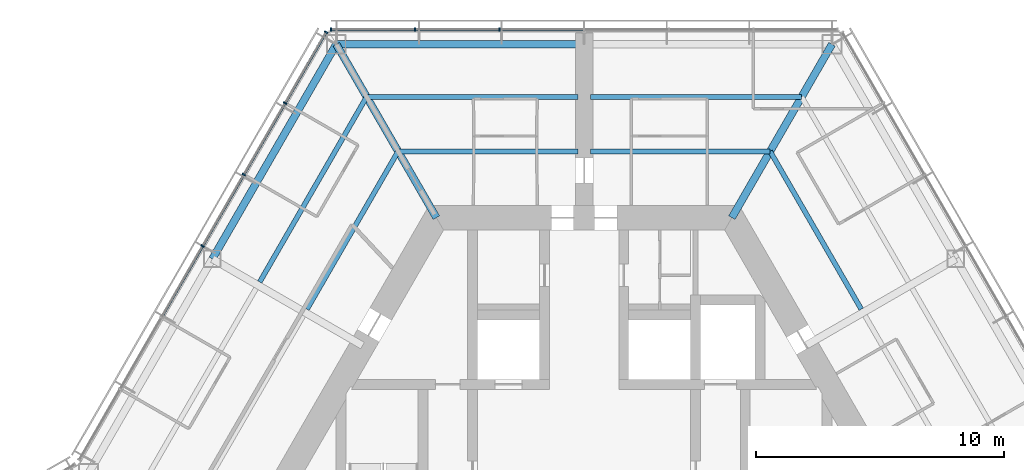
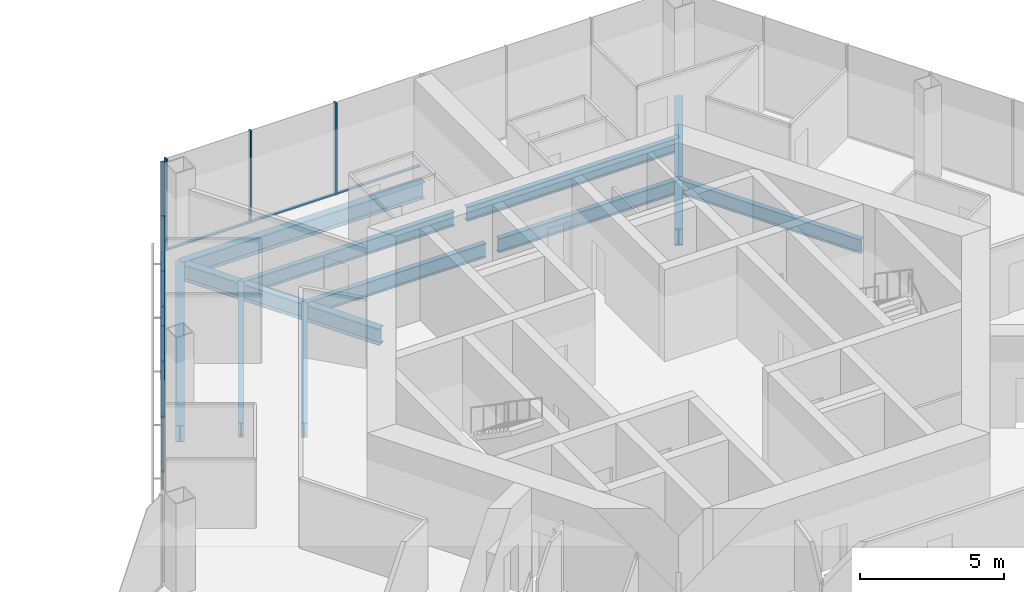
# One storey, part 7 of 18: 14 members, 11 beams, 2 elements without a shape of their own.
"""IFC4 building model written with IfcOpenShell, lengths in metres."""

from ifc_helpers import new_model, si_unit, direction, frame, origin, origin_2d, place, context, subcontext, project, spatial, rectangle, i_section, extrude, material, material_profile, profile_set, type_object, element, aggregate, save


model = new_model("IFC4")

# Units and contexts
model_context = context("Model", 3, precision=1e-05, world=origin(), true_north=direction((0.0, 1.0)))
body_context = subcontext(model_context, "Body", "Model", "MODEL_VIEW")
ifc_project = project(units=[si_unit("LENGTHUNIT", "METRE"), si_unit("AREAUNIT", "SQUARE_METRE"), si_unit("VOLUMEUNIT", "CUBIC_METRE"), si_unit("PLANEANGLEUNIT", "RADIAN"), si_unit("MASSUNIT", "GRAM", prefix="KILO")], contexts=[model_context])

# Site, building, storey
site_placement = place(None, origin())
site = spatial("IfcSite", under=ifc_project, at=site_placement, CompositionType="ELEMENT")
building_placement = place(site_placement, origin())
building = spatial("IfcBuilding", under=site, at=building_placement, Name="Kasaneha Research Tower", CompositionType="ELEMENT")
storey_placement = place(building_placement, frame((0.0, 0.0, 148.699951171875)))
storey = spatial("IfcBuildingStorey", under=building, at=storey_placement, Name="L37", CompositionType="ELEMENT", Elevation=148.699951171875)

# Beams
ifc_material_1 = material(Name="Steel SN490B", Category="steel")
ifc_material_profile_1 = material_profile(ifc_material_1, i_section(OverallWidth=0.199951171875, OverallDepth=0.60009765625, WebThickness=0.010986328125, FlangeThickness=0.01708984375, FilletRadius=0.012939453125, at=origin_2d()), Name="H-600x200x11x17")
ifc_profile_set_1 = profile_set([ifc_material_profile_1], Name="Steel SN490B")
beam_type_1 = type_object("IfcBeamType", Name="B1-3 secondary beam H-600x200x11x17", PredefinedType="JOIST", material=ifc_profile_set_1)
beam_1_placement = place(storey_placement, frame((7.505615234375, 13.0, -0.449951171875), z_axis=(0.499994443168, -0.866028611999, 0.0), x_axis=(0.866028611999, 0.499994443168, 0.0)))
element("IfcBeam", 1, at=beam_1_placement, inside=storey, type_object=beam_type_1, Name="Secondary beam RS030R1 L37", PredefinedType="JOIST", context=body_context, shape_type="SweptSolid", body=[
    extrude(i_section(OverallWidth=0.199951171875, OverallDepth=0.60009765625, WebThickness=0.010986328125, FlangeThickness=0.01708984375, FilletRadius=0.012939453125, at=origin_2d()), origin(), (0.0, 0.0, 1.0), 7.35546875),
])
beam_2_placement = place(storey_placement, frame((7.505615234375, 13.0, -0.449951171875), z_axis=(-1.0, 0.0, 0.0), x_axis=(0.0, -1.0, 0.0)))
element("IfcBeam", 2, at=beam_2_placement, inside=storey, type_object=beam_type_1, Name="Secondary beam RS090L1 L37", PredefinedType="JOIST", context=body_context, shape_type="SweptSolid", body=[
    extrude(i_section(OverallWidth=0.199951171875, OverallDepth=0.60009765625, WebThickness=0.010986328125, FlangeThickness=0.01708984375, FilletRadius=0.012939453125, at=origin_2d()), origin(), (0.0, 0.0, 1.0), 7.255615234375),
])
beam_3_placement = place(storey_placement, frame((8.775634765625, 15.199951171875, -0.449951171875), z_axis=(-1.0, 0.0, 0.0), x_axis=(0.0, -1.0, 0.0)))
element("IfcBeam", 3, at=beam_3_placement, inside=storey, type_object=beam_type_1, Name="Secondary beam RS090L2 L37", PredefinedType="JOIST", context=body_context, shape_type="SweptSolid", body=[
    extrude(i_section(OverallWidth=0.199951171875, OverallDepth=0.60009765625, WebThickness=0.010986328125, FlangeThickness=0.01708984375, FilletRadius=0.012939453125, at=origin_2d()), origin(), (0.0, 0.0, 1.0), 8.525634765625),
])
beam_4_placement = place(storey_placement, frame((-7.505615234375, 13.0, -0.449951171875), z_axis=(1.0, 0.0, 0.0), x_axis=(0.0, 1.0, 0.0)))
element("IfcBeam", 4, at=beam_4_placement, inside=storey, type_object=beam_type_1, Name="Secondary beam RS090R1 L37", PredefinedType="JOIST", context=body_context, shape_type="SweptSolid", body=[
    extrude(i_section(OverallWidth=0.199951171875, OverallDepth=0.60009765625, WebThickness=0.010986328125, FlangeThickness=0.01708984375, FilletRadius=0.012939453125, at=origin_2d()), origin(), (0.0, 0.0, 1.0), 7.255615234375),
])
beam_5_placement = place(storey_placement, frame((-8.775634765625, 15.199951171875, -0.449951171875), z_axis=(1.0, 0.0, 0.0), x_axis=(0.0, 1.0, 0.0)))
element("IfcBeam", 5, at=beam_5_placement, inside=storey, type_object=beam_type_1, Name="Secondary beam RS090R2 L37", PredefinedType="JOIST", context=body_context, shape_type="SweptSolid", body=[
    extrude(i_section(OverallWidth=0.199951171875, OverallDepth=0.60009765625, WebThickness=0.010986328125, FlangeThickness=0.01708984375, FilletRadius=0.012939453125, at=origin_2d()), origin(), (0.0, 0.0, 1.0), 8.525634765625),
])
beam_6_placement = place(storey_placement, frame((-7.505615234375, 13.0, -0.449951171875), z_axis=(-0.499994443168, -0.866028611999, 0.0), x_axis=(0.866028611999, -0.499994443168, 0.0)))
element("IfcBeam", 6, at=beam_6_placement, inside=storey, type_object=beam_type_1, Name="Secondary beam RS150L1 L37", PredefinedType="JOIST", context=body_context, shape_type="SweptSolid", body=[
    extrude(i_section(OverallWidth=0.199951171875, OverallDepth=0.60009765625, WebThickness=0.010986328125, FlangeThickness=0.01708984375, FilletRadius=0.012939453125, at=origin_2d()), origin(), (0.0, 0.0, 1.0), 7.35546875),
])
beam_7_placement = place(storey_placement, frame((-8.775634765625, 15.199951171875, -0.449951171875), z_axis=(-0.500017275495, -0.866015429543, 0.0), x_axis=(0.866015429543, -0.500017275495, 0.0)))
element("IfcBeam", 7, at=beam_7_placement, inside=storey, type_object=beam_type_1, Name="Secondary beam RS150L2 L37", PredefinedType="JOIST", context=body_context, shape_type="SweptSolid", body=[
    extrude(i_section(OverallWidth=0.199951171875, OverallDepth=0.60009765625, WebThickness=0.010986328125, FlangeThickness=0.01708984375, FilletRadius=0.012939453125, at=origin_2d()), origin(), (0.0, 0.0, 1.0), 8.625732421875),
])

# Curtain wall, members
ifc_material_2 = material(Name="Glass and aluminium", Category="aluminium")
curtain_wall_type = type_object("IfcCurtainWallType", Name="Mid-rise office curtain wall", PredefinedType="USERDEFINED", material=ifc_material_2)
curtain_wall_1_placement = place(storey_placement, origin())
curtain_wall_1 = element("IfcCurtainWall", 8, at=curtain_wall_1_placement, inside=storey, type_object=curtain_wall_type, Name="CW-O2 L37 run 07a", ObjectType="UNITISED CURTAIN WALL", PredefinedType="USERDEFINED")
ifc_material_3 = material(Name="Aluminium 6063-T6", Category="aluminium")
ifc_material_profile_2 = material_profile(ifc_material_3, rectangle(XDim=0.06005859375, YDim=0.14990234375, at=origin_2d()), Name="CW-O2 mullion 60x150")
ifc_profile_set_2 = profile_set([ifc_material_profile_2], Name="Aluminium 6063-T6")
member_type_1 = type_object("IfcMemberType", Name="CW-O2 mullion", PredefinedType="MULLION", material=ifc_profile_set_2)
member_1_placement = place(storey_placement, frame((-3.41552734375, 17.92041015625, 0.0), z_axis=(0.0, 0.0, 1.0), x_axis=(-1.0, 0.0, 0.0)))
member_1 = element("IfcMember", 9, at=member_1_placement, type_object=member_type_1, Name="CW-O2 mullion 5", PredefinedType="MULLION", context=body_context, shape_type="SweptSolid", body=[
    extrude(rectangle(XDim=0.06005859375, YDim=0.14990234375, at=origin_2d()), origin(), (0.0, 0.0, 1.0), 3.900146484375),
])
member_2_placement = place(storey_placement, frame((-6.8310546875, 17.92041015625, 0.0), z_axis=(0.0, 0.0, 1.0), x_axis=(-1.0, 0.0, 0.0)))
member_2 = element("IfcMember", 10, at=member_2_placement, type_object=member_type_1, Name="CW-O2 mullion 6", PredefinedType="MULLION", context=body_context, shape_type="SweptSolid", body=[
    extrude(rectangle(XDim=0.06005859375, YDim=0.14990234375, at=origin_2d()), origin(), (0.0, 0.0, 1.0), 3.900146484375),
])
member_3_placement = place(storey_placement, frame((-10.21630859375, 17.92041015625, 0.0), z_axis=(0.0, 0.0, 1.0), x_axis=(-1.0, 0.0, 0.0)))
member_3 = element("IfcMember", 11, at=member_3_placement, type_object=member_type_1, Name="CW-O2 mullion 7", PredefinedType="MULLION", context=body_context, shape_type="SweptSolid", body=[
    extrude(rectangle(XDim=0.06005859375, YDim=0.14990234375, at=origin_2d()), origin(), (0.0, 0.0, 1.0), 3.900146484375),
])

curtain_wall_2_placement = place(storey_placement, origin())
curtain_wall_2 = element("IfcCurtainWall", 12, at=curtain_wall_2_placement, inside=storey, type_object=curtain_wall_type, Name="CW-O2 L37 run 08a", ObjectType="UNITISED CURTAIN WALL", PredefinedType="USERDEFINED")
member_4_placement = place(storey_placement, frame((-10.411376953125, 17.807861328125, 0.0), z_axis=(0.0, 0.0, 1.0), x_axis=(-0.499999979232, -0.866025415775, 0.0)))
member_4 = element("IfcMember", 13, at=member_4_placement, type_object=member_type_1, Name="CW-O2 mullion 1", PredefinedType="MULLION", context=body_context, shape_type="SweptSolid", body=[
    extrude(rectangle(XDim=0.06005859375, YDim=0.14990234375, at=origin_2d()), origin(), (0.0, 0.0, 1.0), 3.900146484375),
])
member_5_placement = place(storey_placement, frame((-12.061767578125, 14.94921875, 0.0), z_axis=(0.0, 0.0, 1.0), x_axis=(-0.499999979232, -0.866025415775, 0.0)))
member_5 = element("IfcMember", 14, at=member_5_placement, type_object=member_type_1, Name="CW-O2 mullion 2", PredefinedType="MULLION", context=body_context, shape_type="SweptSolid", body=[
    extrude(rectangle(XDim=0.06005859375, YDim=0.14990234375, at=origin_2d()), origin(), (0.0, 0.0, 1.0), 3.900146484375),
])
member_6_placement = place(storey_placement, frame((-13.727294921875, 12.064453125, 0.0), z_axis=(0.0, 0.0, 1.0), x_axis=(-0.499999979232, -0.866025415775, 0.0)))
member_6 = element("IfcMember", 15, at=member_6_placement, type_object=member_type_1, Name="CW-O2 mullion 3", PredefinedType="MULLION", context=body_context, shape_type="SweptSolid", body=[
    extrude(rectangle(XDim=0.06005859375, YDim=0.14990234375, at=origin_2d()), origin(), (0.0, 0.0, 1.0), 3.900146484375),
])
member_7_placement = place(storey_placement, frame((-15.392822265625, 9.179931640625, 0.0), z_axis=(0.0, 0.0, 1.0), x_axis=(-0.499999979232, -0.866025415775, 0.0)))
member_7 = element("IfcMember", 16, at=member_7_placement, type_object=member_type_1, Name="CW-O2 mullion 4", PredefinedType="MULLION", context=body_context, shape_type="SweptSolid", body=[
    extrude(rectangle(XDim=0.06005859375, YDim=0.14990234375, at=origin_2d()), origin(), (0.0, 0.0, 1.0), 3.900146484375),
])

# Member
ifc_material_4 = material(Name="Aluminium 6063-T6", Category="aluminium")
ifc_material_profile_3 = material_profile(ifc_material_4, rectangle(XDim=0.110107421875, YDim=0.06005859375, at=origin_2d()), Name="CW-O2 transom 110x60")
ifc_profile_set_3 = profile_set([ifc_material_profile_3], Name="Aluminium 6063-T6")
member_type_2 = type_object("IfcMemberType", Name="CW-O2 transom", PredefinedType="USERDEFINED", material=ifc_profile_set_3)
member_8_placement = place(storey_placement, frame((-0.030029296875, 17.92041015625, 0.030029296875), z_axis=(-1.0, 0.0, 0.0), x_axis=(0.0, -1.0, 0.0)))
member_8 = element("IfcMember", 17, at=member_8_placement, type_object=member_type_2, Name="CW-O2 transom 4", ObjectType="TRANSOM", PredefinedType="USERDEFINED", context=body_context, shape_type="SweptSolid", body=[
    extrude(rectangle(XDim=0.110107421875, YDim=0.06005859375, at=origin_2d()), origin(), (0.0, 0.0, 1.0), 3.35546875),
])

member_9_placement = place(storey_placement, frame((-3.445556640625, 17.92041015625, 0.030029296875), z_axis=(-1.0, 0.0, 0.0), x_axis=(0.0, -1.0, 0.0)))
member_9 = element("IfcMember", 18, at=member_9_placement, type_object=member_type_2, Name="CW-O2 transom 5", ObjectType="TRANSOM", PredefinedType="USERDEFINED", context=body_context, shape_type="SweptSolid", body=[
    extrude(rectangle(XDim=0.110107421875, YDim=0.06005859375, at=origin_2d()), origin(), (0.0, 0.0, 1.0), 3.35546875),
])

member_10_placement = place(storey_placement, frame((-6.86083984375, 17.92041015625, 0.030029296875), z_axis=(-1.0, 0.0, 0.0), x_axis=(0.0, -1.0, 0.0)))
member_10 = element("IfcMember", 19, at=member_10_placement, type_object=member_type_2, Name="CW-O2 transom 6", ObjectType="TRANSOM", PredefinedType="USERDEFINED", context=body_context, shape_type="SweptSolid", body=[
    extrude(rectangle(XDim=0.110107421875, YDim=0.06005859375, at=origin_2d()), origin(), (0.0, 0.0, 1.0), 3.32568359375),
])

aggregate(curtain_wall_1, [member_1, member_2, member_3, member_8, member_9, member_10])

member_11_placement = place(storey_placement, frame((-10.426513671875, 17.781982421875, 0.030029296875), z_axis=(-0.499955025697, -0.866051368154, 0.0), x_axis=(0.866051368154, -0.499955025697, 0.0)))
member_11 = element("IfcMember", 20, at=member_11_placement, type_object=member_type_2, Name="CW-O2 transom 1", ObjectType="TRANSOM", PredefinedType="USERDEFINED", context=body_context, shape_type="SweptSolid", body=[
    extrude(rectangle(XDim=0.110107421875, YDim=0.06005859375, at=origin_2d()), origin(), (0.0, 0.0, 1.0), 3.240966796875),
])

member_12_placement = place(storey_placement, frame((-12.076904296875, 14.92333984375, 0.030029296875), z_axis=(-0.500000270186, -0.866025247793, 0.0), x_axis=(0.866025247793, -0.500000270186, 0.0)))
member_12 = element("IfcMember", 21, at=member_12_placement, type_object=member_type_2, Name="CW-O2 transom 2", ObjectType="TRANSOM", PredefinedType="USERDEFINED", context=body_context, shape_type="SweptSolid", body=[
    extrude(rectangle(XDim=0.110107421875, YDim=0.06005859375, at=origin_2d()), origin(), (0.0, 0.0, 1.0), 3.27099609375),
])

member_13_placement = place(storey_placement, frame((-13.742431640625, 12.03857421875, 0.030029296875), z_axis=(-0.500000270186, -0.866025247793, 0.0), x_axis=(0.866025247793, -0.500000270186, 0.0)))
member_13 = element("IfcMember", 22, at=member_13_placement, type_object=member_type_2, Name="CW-O2 transom 3", ObjectType="TRANSOM", PredefinedType="USERDEFINED", context=body_context, shape_type="SweptSolid", body=[
    extrude(rectangle(XDim=0.110107421875, YDim=0.06005859375, at=origin_2d()), origin(), (0.0, 0.0, 1.0), 3.27099609375),
])

member_14_placement = place(storey_placement, frame((-15.40771484375, 9.15380859375, 0.030029296875), z_axis=(-0.50003259116, -0.866006586452, 0.0), x_axis=(0.866006586452, -0.50003259116, 0.0)))
member_14 = element("IfcMember", 23, at=member_14_placement, type_object=member_type_2, Name="CW-O2 transom 4", ObjectType="TRANSOM", PredefinedType="USERDEFINED", context=body_context, shape_type="SweptSolid", body=[
    extrude(rectangle(XDim=0.110107421875, YDim=0.06005859375, at=origin_2d()), origin(), (0.0, 0.0, 1.0), 3.270751953125),
])

aggregate(curtain_wall_2, [member_4, member_5, member_6, member_7, member_11, member_12, member_13, member_14])

# Beams
ifc_material_5 = material(Name="Steel SN490B", Category="steel")
ifc_material_profile_4 = material_profile(ifc_material_5, i_section(OverallWidth=0.300048828125, OverallDepth=0.699951171875, WebThickness=0.012939453125, FlangeThickness=0.02392578125, FilletRadius=0.01806640625, at=origin_2d()), Name="H-700x300x13x24")
ifc_profile_set_4 = profile_set([ifc_material_profile_4], Name="Steel SN490B")
beam_type_2 = type_object("IfcBeamType", Name="G1-3 radial girder H-700x300x13x24", PredefinedType="BEAM", material=ifc_profile_set_4)
for number, where, z_axis, x_axis, name in (
    (24, (5.961181640625, 10.324951171875, -0.5), (0.49999105496, 0.866030568144, 0.0), (-0.866030568144, 0.49999105496, 0.0), "Radial girder RV060 L37"),
    (25, (-5.961181640625, 10.324951171875, -0.5), (-0.49999105496, 0.866030568144, 0.0), (-0.866030568144, -0.49999105496, 0.0), "Radial girder RV120 L37"),
):
    element("IfcBeam", number, at=place(storey_placement, frame(where, z_axis=z_axis, x_axis=x_axis)), inside=storey, type_object=beam_type_2, Name=name, PredefinedType="BEAM", context=body_context, shape_type="SweptSolid", body=[
        extrude(i_section(OverallWidth=0.300048828125, OverallDepth=0.699951171875, WebThickness=0.012939453125, FlangeThickness=0.02392578125, FilletRadius=0.01806640625, at=origin_2d()), origin(), (0.0, 0.0, 1.0), 8.077880859375),
    ])
ifc_material_6 = material(Name="Steel SN490B", Category="steel")
ifc_material_profile_5 = material_profile(ifc_material_6, i_section(OverallWidth=0.300048828125, OverallDepth=0.69189453125, WebThickness=0.012939453125, FlangeThickness=0.02001953125, FilletRadius=0.01806640625, at=origin_2d()), Name="H-692x300x13x20")
ifc_profile_set_5 = profile_set([ifc_material_profile_5], Name="Steel SN490B")
beam_type_3 = type_object("IfcBeamType", Name="G3-3 plate edge girder H-692x300x13x20", PredefinedType="BEAM", material=ifc_profile_set_5)
beam_8_placement = place(storey_placement, frame((-10.0, 17.320556640625, -0.495849609375), z_axis=(1.0, 0.0, 0.0), x_axis=(0.0, 1.0, 0.0)))
element("IfcBeam", 26, at=beam_8_placement, inside=storey, type_object=beam_type_3, Name="Plate edge girder PEAN L37", PredefinedType="BEAM", context=body_context, shape_type="SweptSolid", body=[
    extrude(i_section(OverallWidth=0.300048828125, OverallDepth=0.69189453125, WebThickness=0.012939453125, FlangeThickness=0.02001953125, FilletRadius=0.01806640625, at=origin_2d()), origin(), (0.0, 0.0, 1.0), 9.75),
])
ifc_material_7 = material(Name="Steel SN490B", Category="steel")
ifc_material_profile_6 = material_profile(ifc_material_7, i_section(OverallWidth=0.300048828125, OverallDepth=0.69189453125, WebThickness=0.012939453125, FlangeThickness=0.02001953125, FilletRadius=0.01806640625, at=origin_2d()), Name="H-692x300x13x20")
ifc_profile_set_6 = profile_set([ifc_material_profile_6], Name="Steel SN490B")
beam_type_4 = type_object("IfcBeamType", Name="SB1-3 spandrel beam H-692x300x13x20", PredefinedType="SPANDREL", material=ifc_profile_set_6)
beam_9_placement = place(storey_placement, frame((-10.0, 17.320556640625, -0.495849609375), z_axis=(-0.499993662806, -0.866029062534, 0.0), x_axis=(0.866029062534, -0.499993662806, 0.0)))
element("IfcBeam", 27, at=beam_9_placement, inside=storey, type_object=beam_type_4, Name="Spandrel beam SR150L L37", PredefinedType="SPANDREL", context=body_context, shape_type="SweptSolid", body=[
    extrude(i_section(OverallWidth=0.300048828125, OverallDepth=0.69189453125, WebThickness=0.012939453125, FlangeThickness=0.02001953125, FilletRadius=0.01806640625, at=origin_2d()), origin(), (0.0, 0.0, 1.0), 10.000244140625),
])

save(model, "model.ifc")
